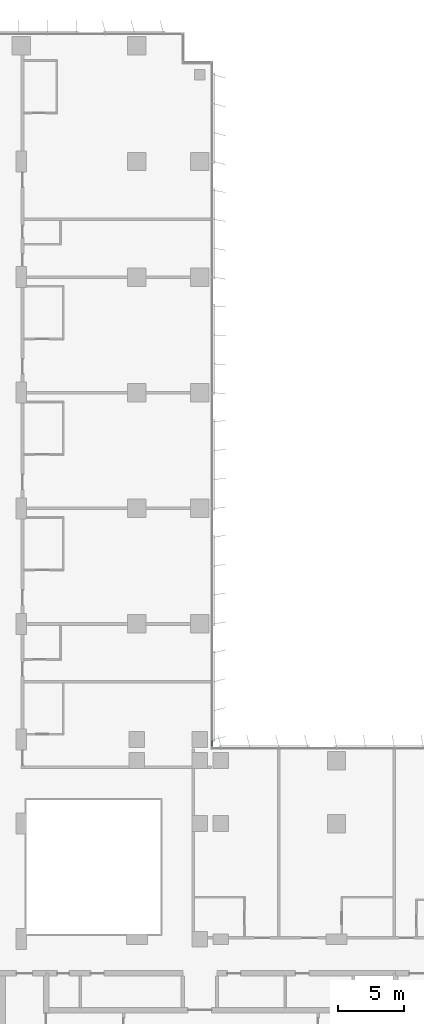
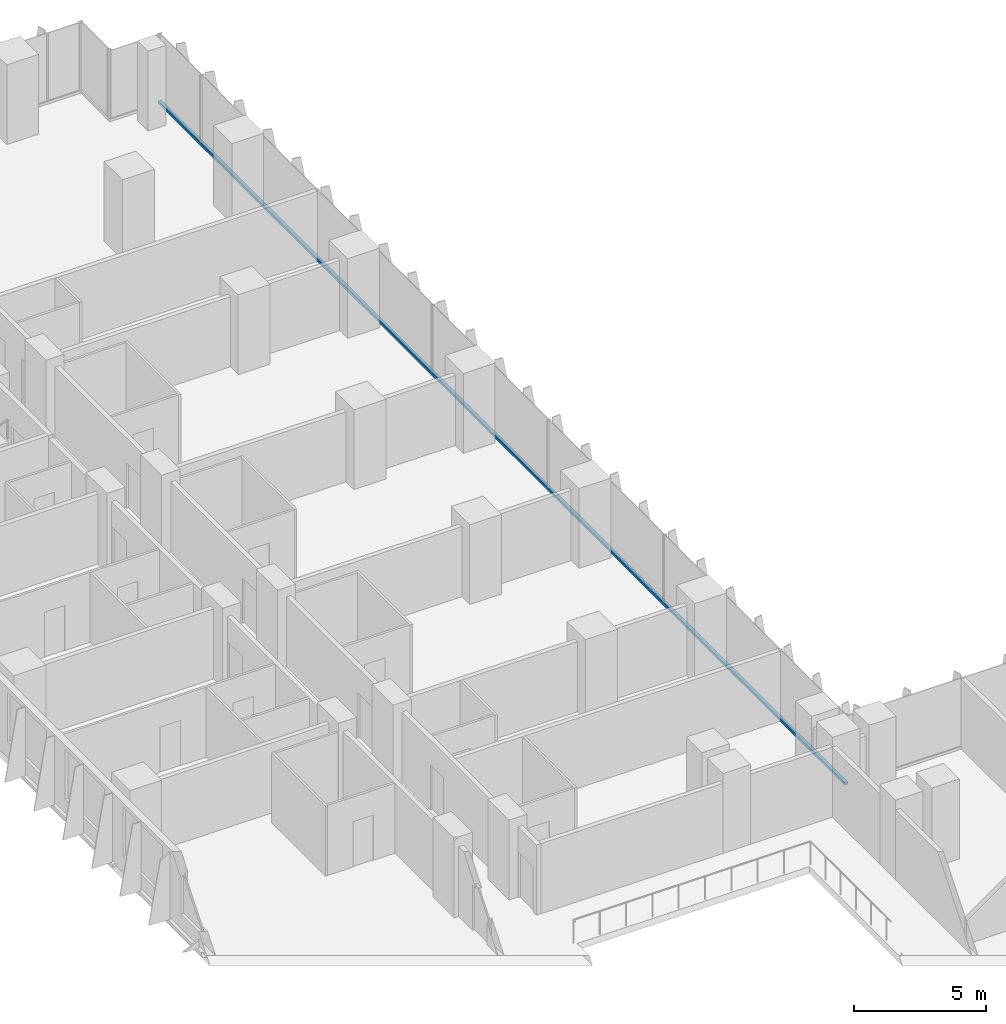
# One storey, part 6 of 24: 1 member, 1 element without a shape of its own.
"""IFC4 building model written with IfcOpenShell, lengths in metres."""

from ifc_helpers import new_model, si_unit, direction, frame, origin, origin_2d, place, context, subcontext, project, spatial, rectangle, extrude, material, material_profile, profile_set, type_object, element, aggregate, save


model = new_model("IFC4")

# Units and contexts
model_context = context("Model", 3, precision=1e-05, world=origin(), true_north=direction((0.0, 1.0)))
body_context = subcontext(model_context, "Body", "Model", "MODEL_VIEW")
ifc_project = project(units=[si_unit("LENGTHUNIT", "METRE"), si_unit("AREAUNIT", "SQUARE_METRE"), si_unit("VOLUMEUNIT", "CUBIC_METRE"), si_unit("PLANEANGLEUNIT", "RADIAN"), si_unit("MASSUNIT", "GRAM", prefix="KILO")], contexts=[model_context])

# Site, building, storey
site_placement = place(None, origin())
site = spatial("IfcSite", under=ifc_project, at=site_placement, CompositionType="ELEMENT")
building_placement = place(site_placement, origin())
building = spatial("IfcBuilding", under=site, at=building_placement, Name="Kemantara Hotel Tower", CompositionType="ELEMENT")
storey_placement = place(building_placement, frame((0.0, 0.0, 79.699951171875)))
storey = spatial("IfcBuildingStorey", under=building, at=storey_placement, Name="L18", CompositionType="ELEMENT", Elevation=79.699951171875)

# Curtain wall, member
ifc_material_1 = material(Name="Low-E tinted double insulated glass 36 mm", Category="glass")
curtain_wall_type = type_object("IfcCurtainWallType", Name="TOWER CURTAIN WALL, FRONT FACES", PredefinedType="USERDEFINED", material=ifc_material_1)
curtain_wall_placement = place(storey_placement, origin())
curtain_wall = element("IfcCurtainWall", 1, at=curtain_wall_placement, inside=storey, type_object=curtain_wall_type, Name="CW4 L18 T1-R08-1", ObjectType="TOWER CURTAIN WALL, FRONT FACES", PredefinedType="USERDEFINED")
ifc_material_2 = material(Name="Aluminium 6063-T6 bronze anodised", Category="aluminium")
ifc_material_profile = material_profile(ifc_material_2, rectangle(XDim=0.14990234375, YDim=0.1201171875, at=origin_2d()), Name="TOWER CURTAIN WALL, FRONT FACES TRANSOM")
ifc_profile_set = profile_set([ifc_material_profile], Name="Aluminium 6063-T6 bronze anodised")
member_type = type_object("IfcMemberType", Name="TOWER CURTAIN WALL, FRONT FACES TRANSOM", PredefinedType="USERDEFINED", material=ifc_profile_set)
member_placement = place(storey_placement, frame((26.72509765625, 26.800048828125, 0.06005859375), z_axis=(0.0, 1.0, 0.0), x_axis=(-1.0, 0.0, 0.0)))
member = element("IfcMember", 2, at=member_placement, type_object=member_type, Name="CW4 sill transom T1-R08-1", ObjectType="TRANSOM", PredefinedType="USERDEFINED", context=body_context, shape_type="SweptSolid", body=[
    extrude(rectangle(XDim=0.14990234375, YDim=0.1201171875, at=origin_2d()), origin(), (0.0, 0.0, 1.0), 52.199951171875),
])
aggregate(curtain_wall, [member])

save(model, "model.ifc")
